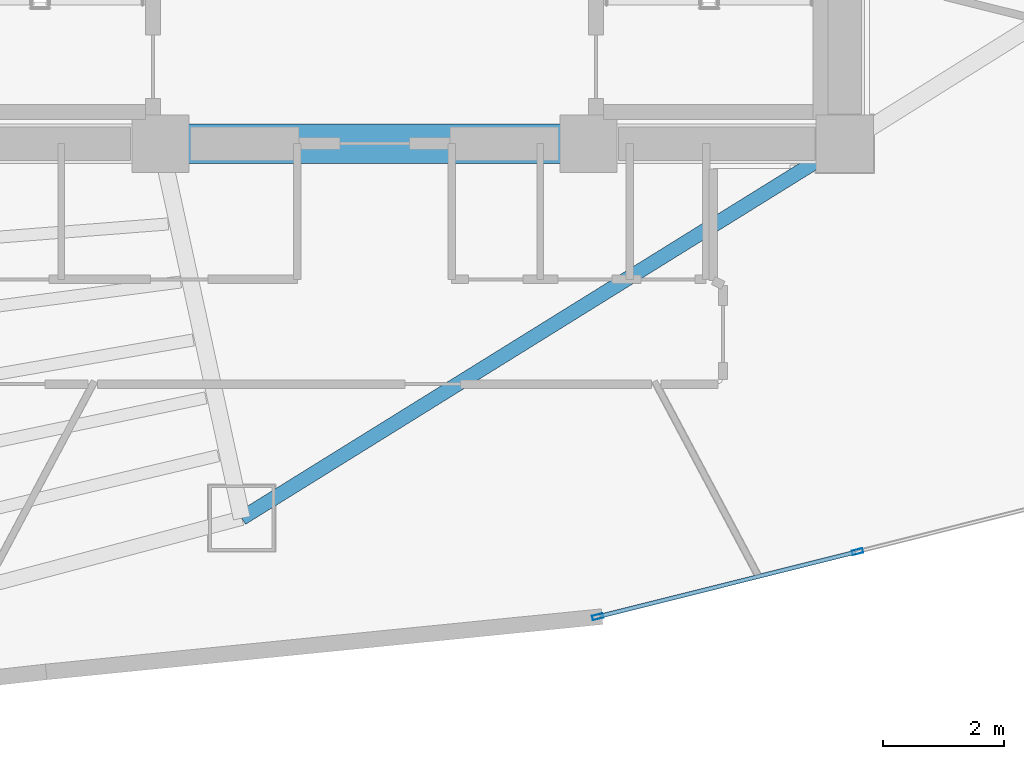
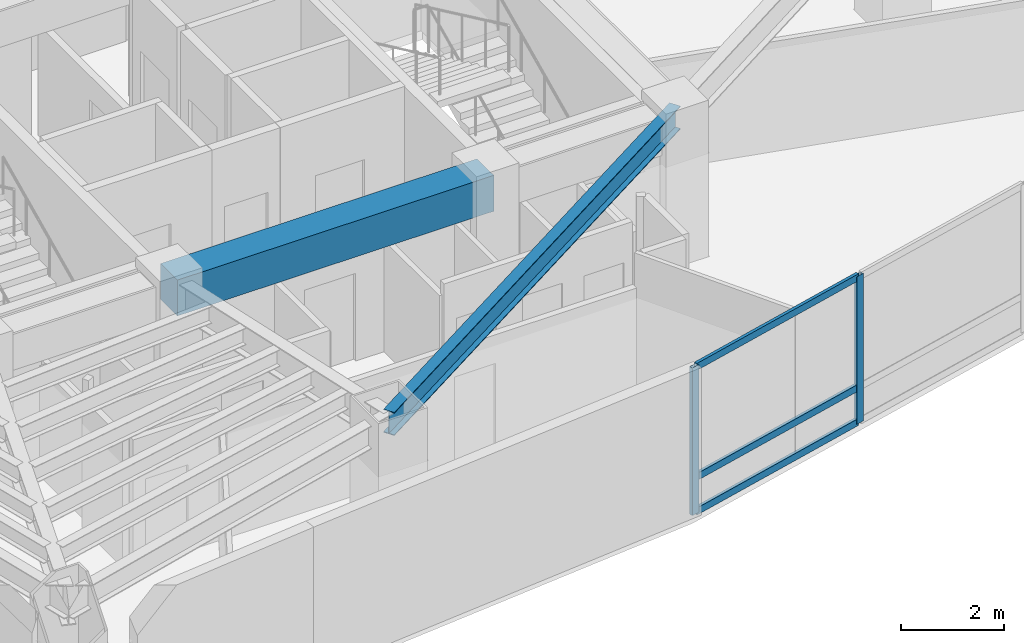
# One storey, part 4 of 18: 5 members, 2 beams, 1 element without a shape of its own.
"""IFC4 building model written with IfcOpenShell, lengths in metres."""

import ifcopenshell
import ifcopenshell.guid

model = None  # the IFC model being written
_history = None  # IfcOwnerHistory: only IFC2X3 demands one
_inside = {}  # id of a spatial element -> (the spatial element, [elements in it])
_under = {}  # id of a project, library or spatial element -> (it, [spatial elements below it])
_declared = {}  # id of a project -> (the project, [libraries it declares])
_typed = {}  # id of a type object -> (the type object, [elements of that type])
_made_of = {}  # id of a material, layer set ... -> (it, [elements and type objects made of it])


def new_model(schema):
    """Start an empty IFC model of exactly this schema.

    Asked for "IFC4X3", IfcOpenShell would pick the latest addendum, in which some entities
    have other attributes; the version numbers below select the first issue.
    IFC2X3 requires an IfcOwnerHistory on every rooted entity: one is made here for all.
    """
    global model, _history
    if schema == "IFC4X3":
        model = ifcopenshell.file(schema_version=(4, 3, 0, 0))
    else:
        model = ifcopenshell.file(schema=schema)
    _inside.clear()
    _under.clear()
    _declared.clear()
    _typed.clear()
    _made_of.clear()
    _history = None
    if model.schema == "IFC2X3":
        org = make("IfcOrganization", Name="unknown")
        user = make(
            "IfcPersonAndOrganization",
            ThePerson=make("IfcPerson", FamilyName="unknown"),
            TheOrganization=org,
        )
        app = make(
            "IfcApplication",
            ApplicationDeveloper=org,
            Version="unknown",
            ApplicationFullName="unknown",
            ApplicationIdentifier="unknown",
        )
        _history = make(
            "IfcOwnerHistory",
            OwningUser=user,
            OwningApplication=app,
            ChangeAction="ADDED",
            CreationDate=0,
        )
    return model


def make(cls, **values):
    """One entity of the class cls with the attributes given. An attribute that is None is left unset."""
    return model.create_entity(
        cls, **{name: value for name, value in values.items() if value is not None}
    )


def rooted(cls, **values):
    """An entity with a GlobalId (a new one), such as an element, a storey or a relation."""
    return make(cls, GlobalId=ifcopenshell.guid.new(), OwnerHistory=_history, **values)


def si_unit(unit_type, name, prefix=None):
    """IfcSIUnit, for example si_unit("LENGTHUNIT", "METRE", prefix="MILLI")."""
    return make("IfcSIUnit", UnitType=unit_type, Prefix=prefix, Name=name)


def assignment(units):
    """IfcUnitAssignment: the units of a project."""
    return None if units is None else make("IfcUnitAssignment", Units=units)


def point(xyz):
    """IfcCartesianPoint."""
    return None if xyz is None else make("IfcCartesianPoint", Coordinates=xyz)


def direction(xyz):
    """IfcDirection."""
    return None if xyz is None else make("IfcDirection", DirectionRatios=xyz)


def frame(location, z_axis=None, x_axis=None):
    """IfcAxis2Placement3D, a coordinate frame: its origin and axes. An axis left out is left unset."""
    return make(
        "IfcAxis2Placement3D",
        Location=point(location),
        Axis=direction(z_axis),
        RefDirection=direction(x_axis),
    )


def frame_2d(location, x_axis=None):
    """IfcAxis2Placement2D, a coordinate frame in the plane: its origin and x axis."""
    return make(
        "IfcAxis2Placement2D", Location=point(location), RefDirection=direction(x_axis)
    )


def origin():
    """The frame at (0, 0, 0) with its axes left unset."""
    return frame((0.0, 0.0, 0.0))


def origin_2d():
    """The frame at (0, 0) in the plane with its x axis left unset."""
    return frame_2d((0.0, 0.0))


def place(relative_to, where):
    """IfcLocalPlacement: puts the frame where relative to a parent placement (None: the world)."""
    return make(
        "IfcLocalPlacement", PlacementRelTo=relative_to, RelativePlacement=where
    )


def context(
    kind, dimensions, precision=None, world=None, true_north=None, identifier=None
):
    """IfcGeometricRepresentationContext, for example the 3D "Model" context."""
    return make(
        "IfcGeometricRepresentationContext",
        ContextIdentifier=identifier,
        ContextType=kind,
        CoordinateSpaceDimension=dimensions,
        Precision=precision,
        WorldCoordinateSystem=world,
        TrueNorth=true_north,
    )


def subcontext(parent, identifier, kind, view, scale=None):
    """IfcGeometricRepresentationSubContext, for example "Body" below "Model"."""
    return make(
        "IfcGeometricRepresentationSubContext",
        ContextIdentifier=identifier,
        ContextType=kind,
        ParentContext=parent,
        TargetScale=scale,
        TargetView=view,
    )


def project(units=None, contexts=None):
    """IfcProject with its units and contexts."""
    return rooted(
        "IfcProject",
        Name="project",
        RepresentationContexts=contexts,
        UnitsInContext=assignment(units),
    )


def spatial(cls, under=None, at=None, **own):
    """A site, building, storey or space (cls), placed at a placement, below another one or the project."""
    s = rooted(cls, ObjectPlacement=at, **own)
    if under is not None:
        _under.setdefault(under.id(), (under, []))[1].append(s)
    return s


def profile(cls, at=None, kind="AREA", **sizes):
    """A parametric profile (cls). Its sizes go by their IFC names, for example OverallWidth=200.0."""
    return make(cls, ProfileType=kind, Position=at, **sizes)


def rectangle(**sizes):
    """IfcRectangleProfileDef."""
    return profile("IfcRectangleProfileDef", **sizes)


def hollow_rectangle(**sizes):
    """IfcRectangleHollowProfileDef."""
    return profile("IfcRectangleHollowProfileDef", **sizes)


def i_section(**sizes):
    """IfcIShapeProfileDef."""
    return profile("IfcIShapeProfileDef", **sizes)


def extrude(swept, where, along, depth):
    """IfcExtrudedAreaSolid: the profile swept, set in the frame where, extruded along a direction by depth."""
    return make(
        "IfcExtrudedAreaSolid",
        SweptArea=swept,
        Position=where,
        ExtrudedDirection=direction(along),
        Depth=depth,
    )


def shape(context_of_items, identifier, shape_type, items):
    """IfcShapeRepresentation: the items that make up one representation, for example the "Body"."""
    return make(
        "IfcShapeRepresentation",
        ContextOfItems=context_of_items,
        RepresentationIdentifier=identifier,
        RepresentationType=shape_type,
        Items=items,
    )


def material(Name=None, Category=None):
    """IfcMaterial."""
    return make("IfcMaterial", Name=Name, Category=Category)


def layer(
    of_material, thickness, ventilated=None, Name=None, Category=None, Priority=None
):
    """IfcMaterialLayer: one layer of a wall or slab, of a material (None: an air gap)."""
    return make(
        "IfcMaterialLayer",
        Material=of_material,
        LayerThickness=thickness,
        IsVentilated=ventilated,
        Name=Name,
        Category=Category,
        Priority=Priority,
    )


def layer_set(layers, Name=None):
    """IfcMaterialLayerSet."""
    return make("IfcMaterialLayerSet", MaterialLayers=layers, LayerSetName=Name)


def material_profile(
    of_material, cross_section, Name=None, Category=None, Priority=None
):
    """IfcMaterialProfile: a cross section and its material."""
    return make(
        "IfcMaterialProfile",
        Name=Name,
        Material=of_material,
        Profile=cross_section,
        Priority=Priority,
        Category=Category,
    )


def profile_set(profiles, Name=None, composite=None):
    """IfcMaterialProfileSet."""
    return make(
        "IfcMaterialProfileSet",
        Name=Name,
        MaterialProfiles=profiles,
        CompositeProfile=composite,
    )


def made_of(thing, what):
    """Note that an element or type object is made of a material, layer set ...; save() writes the relation."""
    if what is not None:
        _made_of.setdefault(what.id(), (what, []))[1].append(thing)
    return thing


def type_object(cls, material=None, **own):
    """A type object (cls), such as IfcWallType, which elements share."""
    return made_of(rooted(cls, **own), material)


def element(
    cls,
    number,
    at=None,
    inside=None,
    cuts=None,
    type_object=None,
    material=None,
    context=None,
    identifier="Body",
    shape_type=None,
    held_by="IfcProductDefinitionShape",
    body=None,
    shapes=None,
    **own,
):
    """One element of the class cls, such as IfcWall. Its Tag is "e" and its number.

    at: its placement. inside: the storey or other place that contains it. cuts: it is an
    opening in that element (IfcRelVoidsElement). A single representation is given by context,
    identifier, shape_type and body (its items); several are given by shapes. held_by: the class
    of the entity that holds the representations. save() writes the other relations.
    """
    e = rooted(cls, Tag="e%d" % number, ObjectPlacement=at, **own)
    if body is not None:
        shapes = [shape(context, identifier, shape_type, body)]
    if shapes is not None:
        e.Representation = make(held_by, Representations=shapes)
    if inside is not None:
        _inside.setdefault(inside.id(), (inside, []))[1].append(e)
    if cuts is not None:
        rooted(
            "IfcRelVoidsElement", RelatingBuildingElement=cuts, RelatedOpeningElement=e
        )
    if type_object is not None:
        _typed.setdefault(type_object.id(), (type_object, []))[1].append(e)
    return made_of(e, material)


def aggregate(whole, parts):
    """IfcRelAggregates: a whole, such as a stair, and the parts it consists of."""
    return rooted("IfcRelAggregates", RelatingObject=whole, RelatedObjects=parts)


def save(model, path):
    """Write the relations noted so far, then the file.

    IfcRelAggregates (storeys below a building ...), IfcRelContainedInSpatialStructure (elements
    in a storey), IfcRelDefinesByType, IfcRelAssociatesMaterial and IfcRelDeclares: one each for
    every whole, place, type object, material and project.
    """
    for whole, parts in _under.values():
        aggregate(whole, parts)
    for where, things in _inside.values():
        rooted(
            "IfcRelContainedInSpatialStructure",
            RelatedElements=things,
            RelatingStructure=where,
        )
    for kind, things in _typed.values():
        rooted("IfcRelDefinesByType", RelatedObjects=things, RelatingType=kind)
    for what, things in _made_of.values():
        rooted("IfcRelAssociatesMaterial", RelatedObjects=things, RelatingMaterial=what)
    for by, libraries in _declared.values():
        rooted("IfcRelDeclares", RelatingContext=by, RelatedDefinitions=libraries)
    model.write(path)


model = new_model("IFC4")

# Units and contexts
model_context = context("Model", 3, precision=1e-05, world=origin(), true_north=direction((0.0, 1.0)))
body_context = subcontext(model_context, "Body", "Model", "MODEL_VIEW")
ifc_project = project(units=[si_unit("LENGTHUNIT", "METRE"), si_unit("AREAUNIT", "SQUARE_METRE"), si_unit("VOLUMEUNIT", "CUBIC_METRE"), si_unit("PLANEANGLEUNIT", "RADIAN"), si_unit("MASSUNIT", "GRAM", prefix="KILO")], contexts=[model_context])

# Site, building, storey
site_placement = place(None, origin())
site = spatial("IfcSite", under=ifc_project, at=site_placement, CompositionType="ELEMENT")
building_placement = place(site_placement, origin())
building = spatial("IfcBuilding", under=site, at=building_placement, Name="Menara Vayukalpa", CompositionType="ELEMENT")
storey_placement = place(building_placement, frame((0.0, 0.0, 158.0400390625)))
storey = spatial("IfcBuildingStorey", under=building, at=storey_placement, Name="L39", CompositionType="ELEMENT", Elevation=158.0400390625)

# Beams
ifc_material_1 = material(Name="Concrete C60/75", Category="concrete")
ifc_material_profile_1 = material_profile(ifc_material_1, rectangle(XDim=0.64990234375, YDim=0.85009765625, at=origin_2d()), Name="RC 650x850")
ifc_profile_set_1 = profile_set([ifc_material_profile_1], Name="Concrete C60/75")
beam_type_1 = type_object("IfcBeamType", Name="BM-CB1", PredefinedType="BEAM", material=ifc_profile_set_1)
beam_1_placement = place(storey_placement, frame((22.050048828125, 17.199951171875, 3.074951171875), z_axis=(1.0, 0.0, 0.0), x_axis=(0.0, 1.0, 0.0)))
element("IfcBeam", 1, at=beam_1_placement, inside=storey, type_object=beam_type_1, Name="L39 Core Tie Beam CBR2", PredefinedType="BEAM", context=body_context, shape_type="SweptSolid", body=[
    extrude(rectangle(XDim=0.64990234375, YDim=0.85009765625, at=origin_2d()), origin(), (0.0, 0.0, 1.0), 7.099853515625),
])
ifc_material_2 = material(Name="Steel S355", Category="steel")
ifc_material_profile_2 = material_profile(ifc_material_2, i_section(OverallWidth=0.239990234375, OverallDepth=0.550048828125, WebThickness=0.010986328125, FlangeThickness=0.01904296875, at=origin_2d()), Name="WF 550x240x11x19")
ifc_profile_set_2 = profile_set([ifc_material_profile_2], Name="Steel S355")
beam_type_2 = type_object("IfcBeamType", Name="BM-SP2", PredefinedType="SPANDREL", material=ifc_profile_set_2)
beam_2_placement = place(storey_placement, frame((23.39697265625, 10.988037109375, 3.224853515625), z_axis=(0.849518408464, 0.527558976495, 0.0), x_axis=(-0.527558976495, 0.849518408464, 0.0)))
element("IfcBeam", 2, at=beam_2_placement, inside=storey, type_object=beam_type_2, Name="L39 Perimeter Spandrel Beam SP08", PredefinedType="SPANDREL", context=body_context, shape_type="SweptSolid", body=[
    extrude(i_section(OverallWidth=0.239990234375, OverallDepth=0.550048828125, WebThickness=0.010986328125, FlangeThickness=0.01904296875, at=origin_2d()), origin(), (0.0, 0.0, 1.0), 11.77490234375),
])

# Curtain wall, members
ifc_material_3 = material(Name="Anodised Terracotta Aluminium Alloy 6063-T6", Category="masonry")
ifc_layer = layer(ifc_material_3, 0.179931640625)
ifc_layer_set = layer_set([ifc_layer], Name="Anodised Terracotta Aluminium Alloy 6063-T6")
curtain_wall_type = type_object("IfcCurtainWallType", Name="CW-CW4", PredefinedType="USERDEFINED", material=ifc_layer_set)
curtain_wall_placement = place(storey_placement, origin())
curtain_wall = element("IfcCurtainWall", 3, at=curtain_wall_placement, inside=storey, type_object=curtain_wall_type, Name="L39 Sky Bar Cantilever Glazed Curtain Wall CW4 16", ObjectType="UNITISED", PredefinedType="USERDEFINED")
ifc_material_4 = material(Name="Anodised Terracotta Aluminium Alloy 6063-T6", Category="masonry")
ifc_material_profile_3 = material_profile(ifc_material_4, hollow_rectangle(XDim=0.074951171875, YDim=0.179931640625, WallThickness=0.00390625, at=origin_2d()), Name="ALU 75x180x4")
ifc_profile_set_3 = profile_set([ifc_material_profile_3], Name="Anodised Terracotta Aluminium Alloy 6063-T6")
member_type_1 = type_object("IfcMemberType", Name="CWM-CW4", PredefinedType="MULLION", material=ifc_profile_set_3)
member_1_placement = place(storey_placement, frame((29.302001953125, 9.35205078125, 0.0), z_axis=(0.0, 0.0, 1.0), x_axis=(-0.243112993066, 0.969997975566, 0.0)))
member_1 = element("IfcMember", 4, at=member_1_placement, type_object=member_type_1, Name="CW4 mullion 1", PredefinedType="MULLION", context=body_context, shape_type="SweptSolid", body=[
    extrude(hollow_rectangle(XDim=0.074951171875, YDim=0.179931640625, WallThickness=0.00390625, at=origin_2d()), origin(), (0.0, 0.0, 1.0), 3.5),
])
member_2_placement = place(storey_placement, frame((33.61376953125, 10.4326171875, 0.0), z_axis=(0.0, 0.0, 1.0), x_axis=(-0.243112993066, 0.969997975566, 0.0)))
member_2 = element("IfcMember", 5, at=member_2_placement, type_object=member_type_1, Name="CW4 mullion 2", PredefinedType="MULLION", context=body_context, shape_type="SweptSolid", body=[
    extrude(hollow_rectangle(XDim=0.074951171875, YDim=0.179931640625, WallThickness=0.00390625, at=origin_2d()), origin(), (0.0, 0.0, 1.0), 3.5),
])
ifc_material_5 = material(Name="Anodised Terracotta Aluminium Alloy 6063-T6", Category="masonry")
ifc_material_profile_4 = material_profile(ifc_material_5, hollow_rectangle(XDim=0.070068359375, YDim=0.1650390625, WallThickness=0.00390625, at=origin_2d()), Name="ALU 70x165x4")
ifc_profile_set_4 = profile_set([ifc_material_profile_4], Name="Anodised Terracotta Aluminium Alloy 6063-T6")
member_type_2 = type_object("IfcMemberType", Name="CWT-CW4", PredefinedType="USERDEFINED", material=ifc_profile_set_4)
member_3_placement = place(storey_placement, frame((29.33837890625, 9.361083984375, 0.034912109375), z_axis=(0.969994440281, 0.243127098088, 0.0), x_axis=(-0.243127098088, 0.969994440281, 0.0)))
member_3 = element("IfcMember", 6, at=member_3_placement, type_object=member_type_2, Name="CW4 transom 1.1", ObjectType="TRANSOM", PredefinedType="USERDEFINED", context=body_context, shape_type="SweptSolid", body=[
    extrude(hollow_rectangle(XDim=0.070068359375, YDim=0.1650390625, WallThickness=0.00390625, at=origin_2d()), origin(), (0.0, 0.0, 1.0), 4.3701171875),
])
member_4_placement = place(storey_placement, frame((29.33837890625, 9.361083984375, 0.849853515625), z_axis=(0.969994440281, 0.243127098088, 0.0), x_axis=(-0.243127098088, 0.969994440281, 0.0)))
member_4 = element("IfcMember", 7, at=member_4_placement, type_object=member_type_2, Name="CW4 transom 1.2", ObjectType="TRANSOM", PredefinedType="USERDEFINED", context=body_context, shape_type="SweptSolid", body=[
    extrude(hollow_rectangle(XDim=0.070068359375, YDim=0.1650390625, WallThickness=0.00390625, at=origin_2d()), origin(), (0.0, 0.0, 1.0), 4.3701171875),
])
member_5_placement = place(storey_placement, frame((29.33837890625, 9.361083984375, 3.46484375), z_axis=(0.969994440281, 0.243127098088, 0.0), x_axis=(-0.243127098088, 0.969994440281, 0.0)))
member_5 = element("IfcMember", 8, at=member_5_placement, type_object=member_type_2, Name="CW4 transom 1.3", ObjectType="TRANSOM", PredefinedType="USERDEFINED", context=body_context, shape_type="SweptSolid", body=[
    extrude(hollow_rectangle(XDim=0.070068359375, YDim=0.1650390625, WallThickness=0.00390625, at=origin_2d()), origin(), (0.0, 0.0, 1.0), 4.3701171875),
])
aggregate(curtain_wall, [member_1, member_2, member_3, member_4, member_5])

save(model, "model.ifc")
